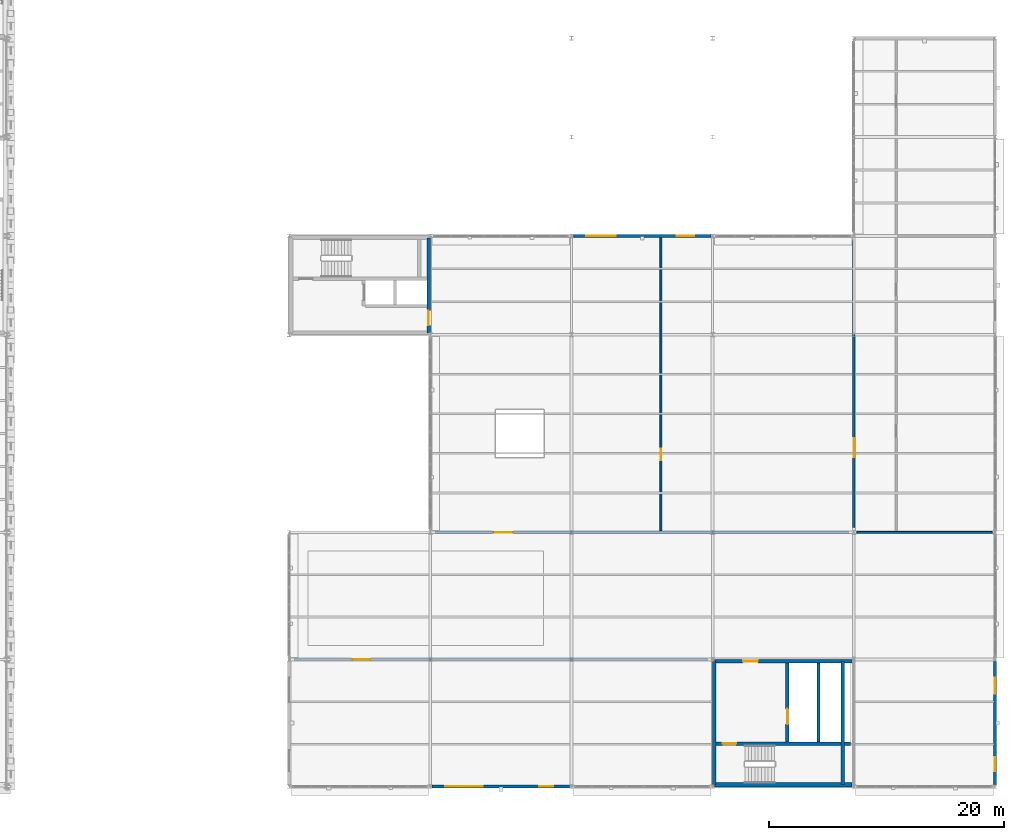
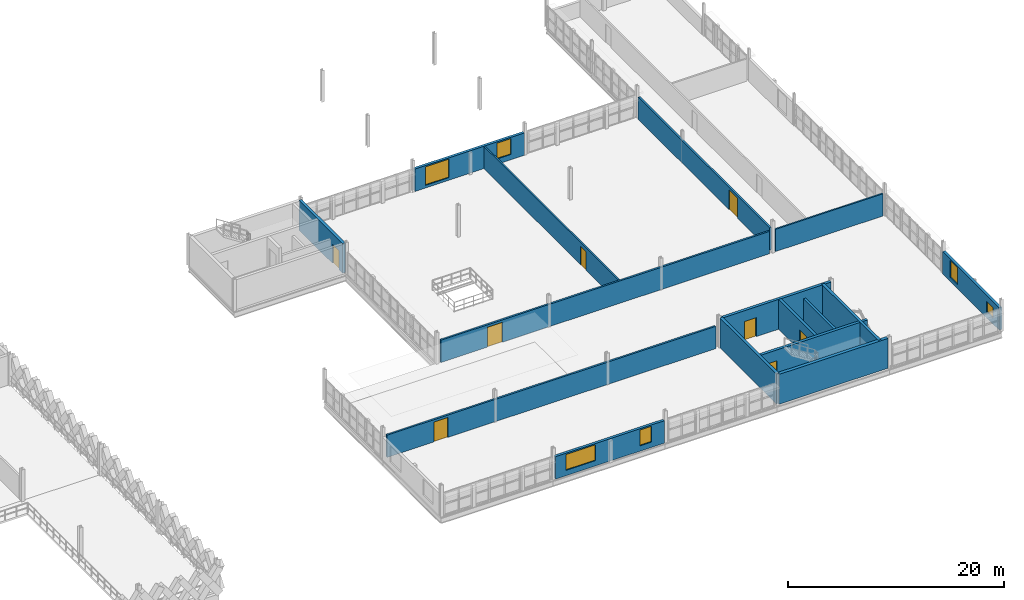
# One storey, part 66 of 79: 16 walls, 8 doors, 6 windows, 14 openings.
"""IFC4 building model written with IfcOpenShell, lengths in metres."""

from ifc_helpers import new_model, si_unit, direction, frame, frame_2d, origin, place, context, subcontext, project, spatial, rectangle, extrude, material, layer, layer_set, type_object, element, fill, save


model = new_model("IFC4")

# Units and contexts
model_context = context("Model", 3, precision=1e-05, world=origin(), true_north=direction((0.0, 1.0)))
body_context = subcontext(model_context, "Body", "Model", "MODEL_VIEW")
ifc_project = project(units=[si_unit("LENGTHUNIT", "METRE"), si_unit("AREAUNIT", "SQUARE_METRE"), si_unit("VOLUMEUNIT", "CUBIC_METRE"), si_unit("PLANEANGLEUNIT", "RADIAN"), si_unit("MASSUNIT", "GRAM", prefix="KILO"), si_unit("THERMODYNAMICTEMPERATUREUNIT", "KELVIN"), si_unit("POWERUNIT", "WATT")], contexts=[model_context])

# Site, building, storey
site_placement = place(None, origin())
site = spatial("IfcSite", under=ifc_project, at=site_placement, CompositionType="ELEMENT")
building_placement = place(site_placement, origin())
building = spatial("IfcBuilding", under=site, at=building_placement, Name="Tembeka Court Mobility Hub", CompositionType="ELEMENT")
storey_placement = place(building_placement, frame((0.0, 0.0, 9.0)))
storey = spatial("IfcBuildingStorey", under=building, at=storey_placement, Name="L02", CompositionType="ELEMENT", Elevation=9.0)

# Wall, openings, windows
ifc_material_1 = material(Name="Precast concrete C45/55", Category="concrete")
ifc_layer_1 = layer(ifc_material_1, 0.280029296875)
ifc_layer_set_1 = layer_set([ifc_layer_1], Name="Precast concrete C45/55")
wall_type_1 = type_object("IfcWallType", Name="WL-EW02", PredefinedType="STANDARD", material=ifc_layer_set_1)
wall_1_placement = place(storey_placement, frame((128.552490234375, 0.0, 0.0), z_axis=(0.0, 0.0, 1.0), x_axis=(1.0, 0.0, 0.0)))
wall_1 = element("IfcWall", 1, at=wall_1_placement, inside=storey, type_object=wall_type_1, Name="External wall EW02 (EW-L02-0092)", PredefinedType="STANDARD", context=body_context, shape_type="SweptSolid", body=[
    extrude(rectangle(XDim=11.695068359375, YDim=0.280029296875, at=frame_2d((5.84765625, 0.0))), origin(), (0.0, 0.0, 1.0), 2.534912109375),
])
opening_1_placement = place(wall_1_placement, frame((1.1201171875, 0.0, 0.594970703125)))
opening_1 = element("IfcOpeningElement", 2, at=opening_1_placement, cuts=wall_1, Name="Opening WN18", PredefinedType="OPENING", context=body_context, shape_type="SweptSolid", body=[
    extrude(rectangle(XDim=3.199951171875, YDim=1.800048828125, at=frame_2d((1.60009765625, 0.89990234375))), frame((0.0, 0.14990234375, 0.0), z_axis=(0.0, -1.0, 0.0), x_axis=(1.0, 0.0, 0.0)), (0.0, 0.0, 1.0), 0.300048828125),
])
opening_2_placement = place(wall_1_placement, frame((9.090087890625, 0.0, 0.594970703125)))
opening_2 = element("IfcOpeningElement", 3, at=opening_2_placement, cuts=wall_1, Name="Opening WN19", PredefinedType="OPENING", context=body_context, shape_type="SweptSolid", body=[
    extrude(rectangle(XDim=1.199951171875, YDim=1.800048828125, at=frame_2d((0.60009765625, 0.89990234375))), frame((0.0, 0.14990234375, 0.0), z_axis=(0.0, -1.0, 0.0), x_axis=(1.0, 0.0, 0.0)), (0.0, 0.0, 1.0), 0.300048828125),
])
ifc_material_2 = material(Name="Laminated solar-control low-E glass", Category="glass")
window_type_1 = type_object("IfcWindowType", Name="WN-W18", PartitioningType="SINGLE_PANEL", PredefinedType="WINDOW", material=ifc_material_2)
window_1_placement = place(opening_1_placement, origin())
window_1 = element("IfcWindow", 4, at=window_1_placement, inside=storey, type_object=window_type_1, Name="Window WN18-0034", OverallHeight=1.800048828125, OverallWidth=3.199951171875, PartitioningType="SINGLE_PANEL", PredefinedType="WINDOW", context=body_context, shape_type="SweptSolid", body=[
    extrude(rectangle(XDim=3.199951171875, YDim=1.800048828125, at=frame_2d((1.60009765625, 0.89990234375))), frame((0.0, 0.030029296875, 0.0), z_axis=(0.0, -1.0, 0.0), x_axis=(1.0, 0.0, 0.0)), (0.0, 0.0, 1.0), 0.06005859375),
])
fill(opening_1, window_1)
window_type_2 = type_object("IfcWindowType", Name="WN-W19", PartitioningType="SINGLE_PANEL", PredefinedType="WINDOW", material=ifc_material_2)
window_2_placement = place(opening_2_placement, origin())
window_2 = element("IfcWindow", 5, at=window_2_placement, inside=storey, type_object=window_type_2, Name="Window WN19-0035", OverallHeight=1.800048828125, OverallWidth=1.199951171875, PartitioningType="SINGLE_PANEL", PredefinedType="WINDOW", context=body_context, shape_type="SweptSolid", body=[
    extrude(rectangle(XDim=1.199951171875, YDim=1.800048828125, at=frame_2d((0.60009765625, 0.89990234375))), frame((0.0, 0.030029296875, 0.0), z_axis=(0.0, -1.0, 0.0), x_axis=(1.0, 0.0, 0.0)), (0.0, 0.0, 1.0), 0.06005859375),
])
fill(opening_2, window_2)

wall_2_placement = place(storey_placement, frame((176.39990234375, 0.158447265625, 0.0), z_axis=(0.0, 0.0, 1.0), x_axis=(0.0, 1.0, 0.0)))
wall_2 = element("IfcWall", 6, at=wall_2_placement, inside=storey, type_object=wall_type_1, Name="External wall EW02 (EW-L02-0093)", PredefinedType="STANDARD", context=body_context, shape_type="SweptSolid", body=[
    extrude(rectangle(XDim=10.483154296875, YDim=0.280029296875, at=frame_2d((5.24169921875, 0.0))), origin(), (0.0, 0.0, 1.0), 2.534912109375),
])
opening_3_placement = place(wall_2_placement, frame((1.1201171875, 0.0, 0.64990234375)))
opening_3 = element("IfcOpeningElement", 7, at=opening_3_placement, cuts=wall_2, Name="Opening WN20", PredefinedType="OPENING", context=body_context, shape_type="SweptSolid", body=[
    extrude(rectangle(XDim=1.199951171875, YDim=1.199951171875, at=frame_2d((0.60009765625, 0.60009765625))), frame((0.0, 0.14990234375, 0.0), z_axis=(0.0, -1.0, 0.0), x_axis=(1.0, 0.0, 0.0)), (0.0, 0.0, 1.0), 0.300048828125),
])
opening_4_placement = place(wall_2_placement, frame((7.739990234375, 0.0, 0.445068359375)))
opening_4 = element("IfcOpeningElement", 8, at=opening_4_placement, cuts=wall_2, Name="Opening WN21", PredefinedType="OPENING", context=body_context, shape_type="SweptSolid", body=[
    extrude(rectangle(XDim=1.35009765625, YDim=1.949951171875, at=frame_2d((0.675048828125, 0.97509765625))), frame((0.0, 0.14990234375, 0.0), z_axis=(0.0, -1.0, 0.0), x_axis=(1.0, 0.0, 0.0)), (0.0, 0.0, 1.0), 0.300048828125),
])
window_type_3 = type_object("IfcWindowType", Name="WN-W20", PartitioningType="SINGLE_PANEL", PredefinedType="WINDOW", material=ifc_material_2)
window_3_placement = place(opening_3_placement, origin())
window_3 = element("IfcWindow", 9, at=window_3_placement, inside=storey, type_object=window_type_3, Name="Window WN20-0036", OverallHeight=1.199951171875, OverallWidth=1.199951171875, PartitioningType="SINGLE_PANEL", PredefinedType="WINDOW", context=body_context, shape_type="SweptSolid", body=[
    extrude(rectangle(XDim=1.199951171875, YDim=1.199951171875, at=frame_2d((0.60009765625, 0.60009765625))), frame((0.0, 0.030029296875, 0.0), z_axis=(0.0, -1.0, 0.0), x_axis=(1.0, 0.0, 0.0)), (0.0, 0.0, 1.0), 0.06005859375),
])
fill(opening_3, window_3)
window_type_4 = type_object("IfcWindowType", Name="WN-W21", PartitioningType="SINGLE_PANEL", PredefinedType="WINDOW", material=ifc_material_2)
window_4_placement = place(opening_4_placement, origin())
window_4 = element("IfcWindow", 10, at=window_4_placement, inside=storey, type_object=window_type_4, Name="Window WN21-0037", OverallHeight=1.949951171875, OverallWidth=1.35009765625, PartitioningType="SINGLE_PANEL", PredefinedType="WINDOW", context=body_context, shape_type="SweptSolid", body=[
    extrude(rectangle(XDim=1.35009765625, YDim=1.949951171875, at=frame_2d((0.675048828125, 0.97509765625))), frame((0.0, 0.030029296875, 0.0), z_axis=(0.0, -1.0, 0.0), x_axis=(1.0, 0.0, 0.0)), (0.0, 0.0, 1.0), 0.06005859375),
])
fill(opening_4, window_4)

wall_3_placement = place(storey_placement, frame((140.552490234375, 46.800048828125, 0.0), z_axis=(0.0, 0.0, 1.0), x_axis=(1.0, 0.0, 0.0)))
wall_3 = element("IfcWall", 11, at=wall_3_placement, inside=storey, type_object=wall_type_1, Name="External wall EW02 (EW-L02-0097)", PredefinedType="STANDARD", context=body_context, shape_type="SweptSolid", body=[
    extrude(rectangle(XDim=11.695068359375, YDim=0.280029296875, at=frame_2d((5.84765625, 0.0))), origin(), (0.0, 0.0, 1.0), 2.534912109375),
])
opening_5_placement = place(wall_3_placement, frame((1.1201171875, 0.0, 0.294921875)))
opening_5 = element("IfcOpeningElement", 12, at=opening_5_placement, cuts=wall_3, Name="Opening WN28", PredefinedType="OPENING", context=body_context, shape_type="SweptSolid", body=[
    extrude(rectangle(XDim=2.5, YDim=2.10009765625, at=frame_2d((1.25, 1.050048828125))), frame((0.0, 0.14990234375, 0.0), z_axis=(0.0, -1.0, 0.0), x_axis=(1.0, 0.0, 0.0)), (0.0, 0.0, 1.0), 0.300048828125),
])
opening_6_placement = place(wall_3_placement, frame((8.7900390625, 0.0, 0.594970703125)))
opening_6 = element("IfcOpeningElement", 13, at=opening_6_placement, cuts=wall_3, Name="Opening WN04", PredefinedType="OPENING", context=body_context, shape_type="SweptSolid", body=[
    extrude(rectangle(XDim=1.5, YDim=1.800048828125, at=frame_2d((0.75, 0.89990234375))), frame((0.0, 0.14990234375, 0.0), z_axis=(0.0, -1.0, 0.0), x_axis=(1.0, 0.0, 0.0)), (0.0, 0.0, 1.0), 0.300048828125),
])
window_type_5 = type_object("IfcWindowType", Name="WN-W04", PartitioningType="SINGLE_PANEL", PredefinedType="WINDOW", material=ifc_material_2)
window_5_placement = place(opening_6_placement, origin())
window_5 = element("IfcWindow", 14, at=window_5_placement, inside=storey, type_object=window_type_5, Name="Window WN04-0040", OverallHeight=1.800048828125, OverallWidth=1.5, PartitioningType="SINGLE_PANEL", PredefinedType="WINDOW", context=body_context, shape_type="SweptSolid", body=[
    extrude(rectangle(XDim=1.5, YDim=1.800048828125, at=frame_2d((0.75, 0.89990234375))), frame((0.0, 0.030029296875, 0.0), z_axis=(0.0, -1.0, 0.0), x_axis=(1.0, 0.0, 0.0)), (0.0, 0.0, 1.0), 0.06005859375),
])
fill(opening_6, window_5)
window_type_6 = type_object("IfcWindowType", Name="WN-W28", PartitioningType="SINGLE_PANEL", PredefinedType="WINDOW", material=ifc_material_2)
window_6_placement = place(opening_5_placement, origin())
window_6 = element("IfcWindow", 15, at=window_6_placement, inside=storey, type_object=window_type_6, Name="Window WN28-0039", OverallHeight=2.10009765625, OverallWidth=2.5, PartitioningType="SINGLE_PANEL", PredefinedType="WINDOW", context=body_context, shape_type="SweptSolid", body=[
    extrude(rectangle(XDim=2.5, YDim=2.10009765625, at=frame_2d((1.25, 1.050048828125))), frame((0.0, 0.030029296875, 0.0), z_axis=(0.0, -1.0, 0.0), x_axis=(1.0, 0.0, 0.0)), (0.0, 0.0, 1.0), 0.06005859375),
])
fill(opening_5, window_6)

# Wall
ifc_material_3 = material(Name="Concrete C40/50", Category="concrete")
ifc_layer_2 = layer(ifc_material_3, 0.25)
ifc_layer_set_2 = layer_set([ifc_layer_2], Name="Concrete C40/50")
wall_type_2 = type_object("IfcWallType", Name="WL-IW01", PredefinedType="PARTITIONING", material=ifc_layer_set_2)
wall_4_placement = place(storey_placement, frame((161.39990234375, 3.800048828125, 0.0), z_axis=(0.0, 0.0, 1.0), x_axis=(0.0, 1.0, 0.0)))
element("IfcWall", 16, at=wall_4_placement, inside=storey, type_object=wall_type_2, Name="Wall IW01 (IW-L02-0321)", PredefinedType="PARTITIONING", context=body_context, shape_type="SweptSolid", body=[
    extrude(rectangle(XDim=6.699951171875, YDim=0.25, at=frame_2d((3.35009765625, 0.0))), origin(), (0.0, 0.0, 1.0), 2.52490234375),
])

# Wall, opening, door
ifc_material_4 = material(Name="Concrete blockwork masonry", Category="masonry")
ifc_layer_3 = layer(ifc_material_4, 0.199951171875)
ifc_layer_set_3 = layer_set([ifc_layer_3], Name="Concrete blockwork masonry")
wall_type_3 = type_object("IfcWallType", Name="WL-IW02", PredefinedType="PARTITIONING", material=ifc_layer_set_3)
wall_5_placement = place(storey_placement, frame((116.800048828125, 10.800048828125, 0.0), z_axis=(0.0, 0.0, 1.0), x_axis=(1.0, 0.0, 0.0)))
wall_5 = element("IfcWall", 17, at=wall_5_placement, inside=storey, type_object=wall_type_3, Name="Wall IW02 (IW-L02-0465)", PredefinedType="PARTITIONING", context=body_context, shape_type="SweptSolid", body=[
    extrude(rectangle(XDim=35.199951171875, YDim=0.199951171875, at=frame_2d((17.60009765625, 0.0))), origin(), (0.0, 0.0, 1.0), 2.52490234375),
])
opening_7_placement = place(wall_5_placement, frame((5.0, 0.0, 0.0)))
opening_7 = element("IfcOpeningElement", 18, at=opening_7_placement, cuts=wall_5, Name="Opening FD06", PredefinedType="OPENING", context=body_context, shape_type="SweptSolid", body=[
    extrude(rectangle(XDim=1.5, YDim=2.25, at=frame_2d((0.75, 1.125))), frame((0.0, 0.10986328125, 0.0), z_axis=(0.0, -1.0, 0.0), x_axis=(1.0, 0.0, 0.0)), (0.0, 0.0, 1.0), 0.219970703125),
])
ifc_material_5 = material(Name="Galvanised steel fire/shutter doorset", Category="steel")
door_type_1 = type_object("IfcDoorType", Name="DR-FD06", OperationType="NOTDEFINED", PredefinedType="DOOR", material=ifc_material_5)
door_1_placement = place(opening_7_placement, origin())
door_1 = element("IfcDoor", 19, at=door_1_placement, inside=storey, type_object=door_type_1, Name="Door FD06-0236", OperationType="DOUBLE_DOOR_SINGLE_SWING", OverallHeight=2.25, OverallWidth=1.5, PredefinedType="DOOR", context=body_context, shape_type="SweptSolid", body=[
    extrude(rectangle(XDim=1.5, YDim=2.25, at=frame_2d((0.75, 1.125))), frame((0.0, 0.02490234375, 0.0), z_axis=(0.0, -1.0, 0.0), x_axis=(1.0, 0.0, 0.0)), (0.0, 0.0, 1.0), 0.050048828125),
])
fill(opening_7, door_1)

wall_6_placement = place(storey_placement, frame((128.800048828125, 21.60009765625, 0.0), z_axis=(0.0, 0.0, 1.0), x_axis=(1.0, 0.0, 0.0)))
wall_6 = element("IfcWall", 20, at=wall_6_placement, inside=storey, type_object=wall_type_3, Name="Wall IW02 (IW-L02-0466)", PredefinedType="PARTITIONING", context=body_context, shape_type="SweptSolid", body=[
    extrude(rectangle(XDim=35.199951171875, YDim=0.199951171875, at=frame_2d((17.60009765625, 0.0))), origin(), (0.0, 0.0, 1.0), 2.52490234375),
])
opening_8_placement = place(wall_6_placement, frame((5.0, 0.0, 0.0)))
opening_8 = element("IfcOpeningElement", 21, at=opening_8_placement, cuts=wall_6, Name="Opening ID05", PredefinedType="OPENING", context=body_context, shape_type="SweptSolid", body=[
    extrude(rectangle(XDim=1.60009765625, YDim=2.25, at=frame_2d((0.800048828125, 1.125))), frame((0.0, 0.10986328125, 0.0), z_axis=(0.0, -1.0, 0.0), x_axis=(1.0, 0.0, 0.0)), (0.0, 0.0, 1.0), 0.219970703125),
])
ifc_material_6 = material(Name="Powder-coated aluminium glazed doorset", Category="aluminium")
door_type_2 = type_object("IfcDoorType", Name="DR-ID05", OperationType="NOTDEFINED", PredefinedType="DOOR", material=ifc_material_6)
door_2_placement = place(opening_8_placement, origin())
door_2 = element("IfcDoor", 22, at=door_2_placement, inside=storey, type_object=door_type_2, Name="Door ID05-0237", OperationType="DOUBLE_DOOR_SINGLE_SWING", OverallHeight=2.25, OverallWidth=1.60009765625, PredefinedType="DOOR", context=body_context, shape_type="SweptSolid", body=[
    extrude(rectangle(XDim=1.60009765625, YDim=2.25, at=frame_2d((0.800048828125, 1.125))), frame((0.0, 0.02490234375, 0.0), z_axis=(0.0, -1.0, 0.0), x_axis=(1.0, 0.0, 0.0)), (0.0, 0.0, 1.0), 0.050048828125),
])
fill(opening_8, door_2)

wall_7_placement = place(storey_placement, frame((164.39990234375, 22.0, 0.0), z_axis=(0.0, 0.0, 1.0), x_axis=(0.0, 1.0, 0.0)))
wall_7 = element("IfcWall", 23, at=wall_7_placement, inside=storey, type_object=wall_type_3, Name="Wall IW02 (IW-L02-0468)", PredefinedType="PARTITIONING", context=body_context, shape_type="SweptSolid", body=[
    extrude(rectangle(XDim=24.39990234375, YDim=0.199951171875, at=frame_2d((12.199951171875, 0.0))), origin(), (0.0, 0.0, 1.0), 2.52490234375),
])
opening_9_placement = place(wall_7_placement, frame((6.0, 0.0, 0.0)))
opening_9 = element("IfcOpeningElement", 24, at=opening_9_placement, cuts=wall_7, Name="Opening ID05", PredefinedType="OPENING", context=body_context, shape_type="SweptSolid", body=[
    extrude(rectangle(XDim=1.60009765625, YDim=2.25, at=frame_2d((0.800048828125, 1.125))), frame((0.0, 0.10986328125, 0.0), z_axis=(0.0, -1.0, 0.0), x_axis=(1.0, 0.0, 0.0)), (0.0, 0.0, 1.0), 0.219970703125),
])
door_3_placement = place(opening_9_placement, origin())
door_3 = element("IfcDoor", 25, at=door_3_placement, inside=storey, type_object=door_type_2, Name="Door ID05-0239", OperationType="DOUBLE_DOOR_SINGLE_SWING", OverallHeight=2.25, OverallWidth=1.60009765625, PredefinedType="DOOR", context=body_context, shape_type="SweptSolid", body=[
    extrude(rectangle(XDim=1.60009765625, YDim=2.25, at=frame_2d((0.800048828125, 1.125))), frame((0.0, 0.02490234375, 0.0), z_axis=(0.0, -1.0, 0.0), x_axis=(1.0, 0.0, 0.0)), (0.0, 0.0, 1.0), 0.050048828125),
])
fill(opening_9, door_3)

# Wall
ifc_material_7 = material(Name="Acoustic metal-stud gypsum partition", Category="masonry")
ifc_layer_4 = layer(ifc_material_7, 0.159912109375)
ifc_layer_set_4 = layer_set([ifc_layer_4], Name="Acoustic metal-stud gypsum partition")
wall_type_4 = type_object("IfcWallType", Name="WL-IW04", PredefinedType="PARTITIONING", material=ifc_layer_set_4)
wall_8_placement = place(storey_placement, frame((164.64990234375, 21.60009765625, 0.0), z_axis=(0.0, 0.0, 1.0), x_axis=(1.0, 0.0, 0.0)))
element("IfcWall", 26, at=wall_8_placement, inside=storey, type_object=wall_type_4, Name="Wall IW04 (IW-L02-0463)", PredefinedType="PARTITIONING", context=body_context, shape_type="SweptSolid", body=[
    extrude(rectangle(XDim=11.5, YDim=0.159912109375, at=frame_2d((5.75, 0.0))), origin(), (0.0, 0.0, 1.0), 2.52490234375),
])

# Wall, opening, door
wall_9_placement = place(storey_placement, frame((148.0, 21.75, 0.0), z_axis=(0.0, 0.0, 1.0), x_axis=(0.0, 1.0, 0.0)))
wall_9 = element("IfcWall", 27, at=wall_9_placement, inside=storey, type_object=wall_type_4, Name="Wall IW04 (IW-L02-0467)", PredefinedType="PARTITIONING", context=body_context, shape_type="SweptSolid", body=[
    extrude(rectangle(XDim=24.89990234375, YDim=0.159912109375, at=frame_2d((12.449951171875, 0.0))), origin(), (0.0, 0.0, 1.0), 2.52490234375),
])
opening_10_placement = place(wall_9_placement, frame((6.0, 0.0, 0.0)))
opening_10 = element("IfcOpeningElement", 28, at=opening_10_placement, cuts=wall_9, Name="Opening ID01", PredefinedType="OPENING", context=body_context, shape_type="SweptSolid", body=[
    extrude(rectangle(XDim=0.949951171875, YDim=2.10009765625, at=frame_2d((0.47509765625, 1.050048828125))), frame((0.0, 0.08984375, 0.0), z_axis=(0.0, -1.0, 0.0), x_axis=(1.0, 0.0, 0.0)), (0.0, 0.0, 1.0), 0.179931640625),
])
door_type_3 = type_object("IfcDoorType", Name="DR-ID01", OperationType="NOTDEFINED", PredefinedType="DOOR", material=ifc_material_6)
door_4_placement = place(opening_10_placement, origin())
door_4 = element("IfcDoor", 29, at=door_4_placement, inside=storey, type_object=door_type_3, Name="Door ID01-0238", OperationType="SINGLE_SWING_RIGHT", OverallHeight=2.10009765625, OverallWidth=0.949951171875, PredefinedType="DOOR", context=body_context, shape_type="SweptSolid", body=[
    extrude(rectangle(XDim=0.949951171875, YDim=2.10009765625, at=frame_2d((0.47509765625, 1.050048828125))), frame((0.0, 0.02490234375, 0.0), z_axis=(0.0, -1.0, 0.0), x_axis=(1.0, 0.0, 0.0)), (0.0, 0.0, 1.0), 0.050048828125),
])
fill(opening_10, door_4)

ifc_layer_5 = layer(ifc_material_3, 0.300048828125)
ifc_layer_set_5 = layer_set([ifc_layer_5], Name="Concrete C40/50")
wall_type_5 = type_object("IfcWallType", Name="WL-SW01", PredefinedType="SHEAR", material=ifc_layer_set_5)
wall_10_placement = place(storey_placement, frame((128.25, 38.55859375, 0.0), z_axis=(0.0, 0.0, 1.0), x_axis=(0.0, 1.0, 0.0)))
wall_10 = element("IfcWall", 30, at=wall_10_placement, inside=storey, type_object=wall_type_5, Name="Wall SW01 (IW-L02-0279)", PredefinedType="SHEAR", context=body_context, shape_type="SweptSolid", body=[
    extrude(rectangle(XDim=8.0830078125, YDim=0.300048828125, at=frame_2d((4.04150390625, 0.0))), origin(), (0.0, 0.0, 1.0), 3.3798828125),
])
opening_11_placement = place(wall_10_placement, frame((0.6416015625, 0.0, 0.0)))
opening_11 = element("IfcOpeningElement", 31, at=opening_11_placement, cuts=wall_10, Name="Opening FD01", PredefinedType="OPENING", context=body_context, shape_type="SweptSolid", body=[
    extrude(rectangle(XDim=1.25, YDim=2.14990234375, at=frame_2d((0.625, 1.074951171875))), frame((0.0, 0.16015625, 0.0), z_axis=(0.0, -1.0, 0.0), x_axis=(1.0, 0.0, 0.0)), (0.0, 0.0, 1.0), 0.320068359375),
])
door_type_4 = type_object("IfcDoorType", Name="DR-FD01", OperationType="NOTDEFINED", PredefinedType="DOOR", material=ifc_material_5)
door_5_placement = place(opening_11_placement, origin())
door_5 = element("IfcDoor", 32, at=door_5_placement, inside=storey, type_object=door_type_4, Name="Door FD01-0124", OperationType="SINGLE_SWING_RIGHT", OverallHeight=2.14990234375, OverallWidth=1.25, PredefinedType="DOOR", context=body_context, shape_type="SweptSolid", body=[
    extrude(rectangle(XDim=1.25, YDim=2.14990234375, at=frame_2d((0.625, 1.074951171875))), frame((0.0, 0.02490234375, 0.0), z_axis=(0.0, -1.0, 0.0), x_axis=(1.0, 0.0, 0.0)), (0.0, 0.0, 1.0), 0.050048828125),
])
fill(opening_11, door_5)

wall_11_placement = place(storey_placement, frame((152.552490234375, 10.64990234375, 0.0), z_axis=(0.0, 0.0, 1.0), x_axis=(1.0, 0.0, 0.0)))
wall_11 = element("IfcWall", 33, at=wall_11_placement, inside=storey, type_object=wall_type_5, Name="Wall SW01 (IW-L02-0316)", PredefinedType="SHEAR", context=body_context, shape_type="SweptSolid", body=[
    extrude(rectangle(XDim=11.695068359375, YDim=0.300048828125, at=frame_2d((5.84765625, 0.0))), origin(), (0.0, 0.0, 1.0), 3.3798828125),
])
opening_12_placement = place(wall_11_placement, frame((2.427490234375, 0.0, 0.0)))
opening_12 = element("IfcOpeningElement", 34, at=opening_12_placement, cuts=wall_11, Name="Opening FD01", PredefinedType="OPENING", context=body_context, shape_type="SweptSolid", body=[
    extrude(rectangle(XDim=1.25, YDim=2.14990234375, at=frame_2d((0.625, 1.074951171875))), frame((0.0, 0.16015625, 0.0), z_axis=(0.0, -1.0, 0.0), x_axis=(1.0, 0.0, 0.0)), (0.0, 0.0, 1.0), 0.320068359375),
])
door_6_placement = place(opening_12_placement, origin())
door_6 = element("IfcDoor", 35, at=door_6_placement, inside=storey, type_object=door_type_4, Name="Door FD01-0140", OperationType="SINGLE_SWING_RIGHT", OverallHeight=2.14990234375, OverallWidth=1.25, PredefinedType="DOOR", context=body_context, shape_type="SweptSolid", body=[
    extrude(rectangle(XDim=1.25, YDim=2.14990234375, at=frame_2d((0.625, 1.074951171875))), frame((0.0, 0.02490234375, 0.0), z_axis=(0.0, -1.0, 0.0), x_axis=(1.0, 0.0, 0.0)), (0.0, 0.0, 1.0), 0.050048828125),
])
fill(opening_12, door_6)

# Walls
for number, where, z_axis, x_axis, name in (
    (36, (152.550048828125, 0.158447265625, 0.0), (0.0, 0.0, 1.0), (0.0, 1.0, 0.0), "Wall SW01 (IW-L02-0317)"),
    (37, (163.449951171875, 0.158447265625, 0.0), (0.0, 0.0, 1.0), (0.0, 1.0, 0.0), "Wall SW01 (IW-L02-0318)"),
):
    element("IfcWall", number, at=place(storey_placement, frame(where, z_axis=z_axis, x_axis=x_axis)), inside=storey, type_object=wall_type_5, Name=name, PredefinedType="SHEAR", context=body_context, shape_type="SweptSolid", body=[
        extrude(rectangle(XDim=10.483154296875, YDim=0.300048828125, at=frame_2d((5.24169921875, 0.0))), origin(), (0.0, 0.0, 1.0), 3.3798828125),
    ])

# Wall, opening, door
wall_12_placement = place(storey_placement, frame((152.699951171875, 3.64990234375, 0.0), z_axis=(0.0, 0.0, 1.0), x_axis=(1.0, 0.0, 0.0)))
wall_12 = element("IfcWall", 38, at=wall_12_placement, inside=storey, type_object=wall_type_5, Name="Wall SW01 (IW-L02-0319)", PredefinedType="SHEAR", context=body_context, shape_type="SweptSolid", body=[
    extrude(rectangle(XDim=11.400146484375, YDim=0.300048828125, at=frame_2d((5.7001953125, 0.0))), origin(), (0.0, 0.0, 1.0), 3.3798828125),
])
opening_13_placement = place(wall_12_placement, frame((0.550048828125, 0.0, 0.0)))
opening_13 = element("IfcOpeningElement", 39, at=opening_13_placement, cuts=wall_12, Name="Opening FD03", PredefinedType="OPENING", context=body_context, shape_type="SweptSolid", body=[
    extrude(rectangle(XDim=1.14990234375, YDim=2.14990234375, at=frame_2d((0.574951171875, 1.074951171875))), frame((0.0, 0.16015625, 0.0), z_axis=(0.0, -1.0, 0.0), x_axis=(1.0, 0.0, 0.0)), (0.0, 0.0, 1.0), 0.320068359375),
])
door_type_5 = type_object("IfcDoorType", Name="DR-FD03", OperationType="NOTDEFINED", PredefinedType="DOOR", material=ifc_material_5)
door_7_placement = place(opening_13_placement, origin())
door_7 = element("IfcDoor", 40, at=door_7_placement, inside=storey, type_object=door_type_5, Name="Door FD03-0141", OperationType="SINGLE_SWING_LEFT", OverallHeight=2.14990234375, OverallWidth=1.14990234375, PredefinedType="DOOR", context=body_context, shape_type="SweptSolid", body=[
    extrude(rectangle(XDim=1.14990234375, YDim=2.14990234375, at=frame_2d((0.574951171875, 1.074951171875))), frame((0.0, 0.02490234375, 0.0), z_axis=(0.0, -1.0, 0.0), x_axis=(1.0, 0.0, 0.0)), (0.0, 0.0, 1.0), 0.050048828125),
])
fill(opening_13, door_7)

wall_13_placement = place(storey_placement, frame((158.75, 3.800048828125, 0.0), z_axis=(0.0, 0.0, 1.0), x_axis=(0.0, 1.0, 0.0)))
wall_13 = element("IfcWall", 41, at=wall_13_placement, inside=storey, type_object=wall_type_5, Name="Wall SW01 (IW-L02-0320)", PredefinedType="SHEAR", context=body_context, shape_type="SweptSolid", body=[
    extrude(rectangle(XDim=6.699951171875, YDim=0.300048828125, at=frame_2d((3.35009765625, 0.0))), origin(), (0.0, 0.0, 1.0), 3.3798828125),
])
opening_14_placement = place(wall_13_placement, frame((1.5, 0.0, 0.0)))
opening_14 = element("IfcOpeningElement", 42, at=opening_14_placement, cuts=wall_13, Name="Opening LD02", PredefinedType="OPENING", context=body_context, shape_type="SweptSolid", body=[
    extrude(rectangle(XDim=1.300048828125, YDim=2.300048828125, at=frame_2d((0.64990234375, 1.14990234375))), frame((0.0, 0.16015625, 0.0), z_axis=(0.0, -1.0, 0.0), x_axis=(1.0, 0.0, 0.0)), (0.0, 0.0, 1.0), 0.320068359375),
])
door_type_6 = type_object("IfcDoorType", Name="DR-LD02", OperationType="SLIDING_TO_LEFT", PredefinedType="DOOR", material=ifc_material_5)
door_8_placement = place(opening_14_placement, origin())
door_8 = element("IfcDoor", 43, at=door_8_placement, inside=storey, type_object=door_type_6, Name="Lift LF08 landing door L02", OperationType="SLIDING_TO_LEFT", OverallHeight=2.300048828125, OverallWidth=1.300048828125, PredefinedType="DOOR", context=body_context, shape_type="SweptSolid", body=[
    extrude(rectangle(XDim=1.300048828125, YDim=2.300048828125, at=frame_2d((0.64990234375, 1.14990234375))), frame((0.0, 0.02490234375, 0.0), z_axis=(0.0, -1.0, 0.0), x_axis=(1.0, 0.0, 0.0)), (0.0, 0.0, 1.0), 0.050048828125),
])
fill(opening_14, door_8)

# Wall
ifc_layer_6 = layer(ifc_material_3, 0.35009765625)
ifc_layer_set_6 = layer_set([ifc_layer_6], Name="Concrete C40/50")
wall_type_6 = type_object("IfcWallType", Name="WL-SW02", PredefinedType="SHEAR", material=ifc_layer_set_6)
wall_14_placement = place(storey_placement, frame((152.552490234375, 0.14990234375, 0.0), z_axis=(0.0, 0.0, 1.0), x_axis=(1.0, 0.0, 0.0)))
element("IfcWall", 44, at=wall_14_placement, inside=storey, type_object=wall_type_6, Name="Wall SW02 (IW-L02-0315)", PredefinedType="SHEAR", context=body_context, shape_type="SweptSolid", body=[
    extrude(rectangle(XDim=11.695068359375, YDim=0.35009765625, at=frame_2d((5.84765625, 0.0))), origin(), (0.0, 0.0, 1.0), 3.3798828125),
])

save(model, "model.ifc")
